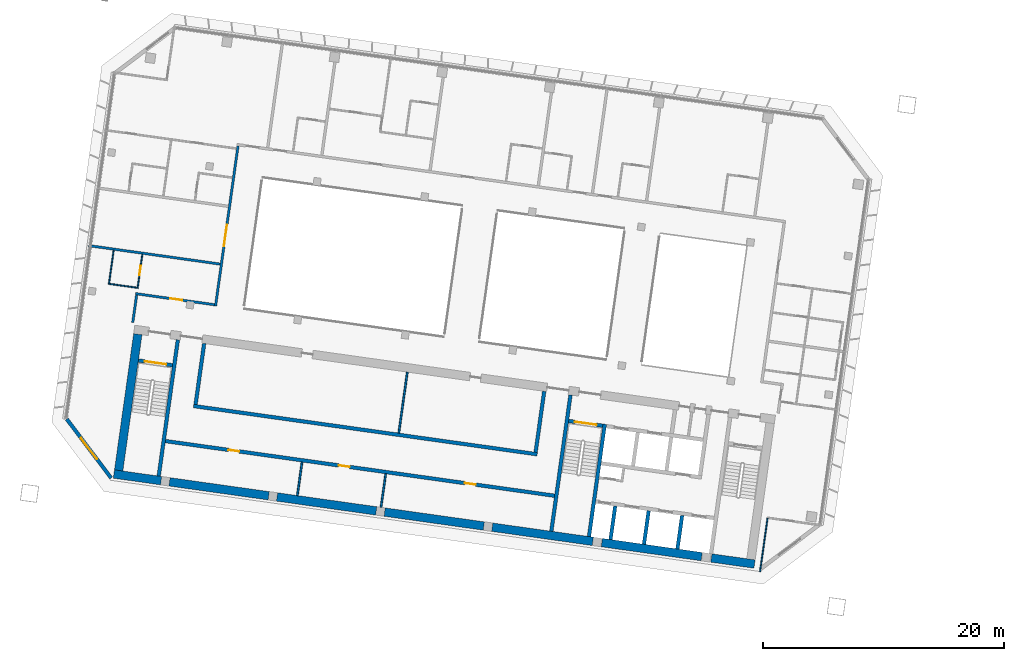
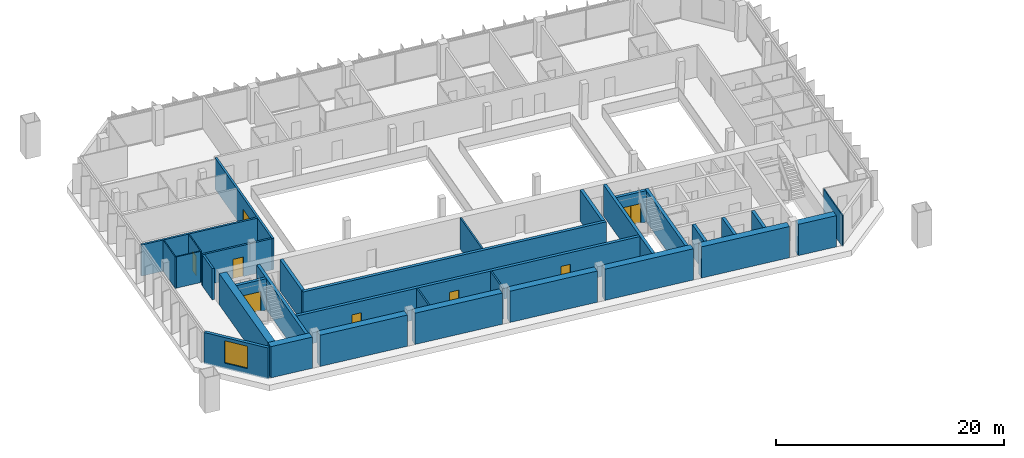
# One storey, part 15 of 26: 32 walls, 8 doors, 1 window, 9 openings.
"""IFC4 building model written with IfcOpenShell, lengths in metres."""

from ifc_helpers import new_model, si_unit, direction, frame, frame_2d, origin, place, context, subcontext, project, spatial, rectangle, extrude, material, layer, layer_set, type_object, element, fill, save


model = new_model("IFC4")

# Units and contexts
model_context = context("Model", 3, precision=1e-05, world=origin(), true_north=direction((0.0, 1.0)))
body_context = subcontext(model_context, "Body", "Model", "MODEL_VIEW")
ifc_project = project(units=[si_unit("LENGTHUNIT", "METRE"), si_unit("AREAUNIT", "SQUARE_METRE"), si_unit("VOLUMEUNIT", "CUBIC_METRE"), si_unit("PLANEANGLEUNIT", "RADIAN"), si_unit("MASSUNIT", "GRAM", prefix="KILO")], contexts=[model_context])

# Site, building, storey
site_placement = place(None, origin())
site = spatial("IfcSite", under=ifc_project, at=site_placement, CompositionType="ELEMENT")
building_placement = place(site_placement, origin())
building = spatial("IfcBuilding", under=site, at=building_placement, Name="Mirante Cascada Hotel Towers", CompositionType="ELEMENT")
storey_placement = place(building_placement, frame((0.0, 0.0, 168.8)))
storey = spatial("IfcBuildingStorey", under=building, at=storey_placement, Name="L39", CompositionType="ELEMENT", Elevation=168.8)

# Wall, opening, door
ifc_material_1 = material(Name="Fire-rated plasterboard on metal studs")
ifc_layer_1 = layer(ifc_material_1, 0.2)
ifc_layer_set_1 = layer_set([ifc_layer_1], Name="Compartment wall 200 EI 120")
wall_type_1 = type_object("IfcWallType", Name="Compartment wall 200 EI 120", PredefinedType="PARTITIONING", material=ifc_layer_set_1)
wall_1_placement = place(storey_placement, frame((-81.9671, 1.8701, 0.0), z_axis=(0.0, 0.0, 1.0), x_axis=(-0.990269, 0.1391661, 0.0)))
wall_1 = element("IfcWall", 1, at=wall_1_placement, inside=storey, type_object=wall_type_1, Name="Wall 1-L39-04", PredefinedType="PARTITIONING", context=body_context, shape_type="SweptSolid", body=[
    extrude(rectangle(XDim=6.6, YDim=0.2, at=frame_2d((3.3, 0.0))), origin(), (0.0, 0.0, 1.0), 3.35),
])
opening_1_placement = place(wall_1_placement, frame((2.7, 0.0, 0.0)))
opening_1 = element("IfcOpeningElement", 2, at=opening_1_placement, cuts=wall_1, Name="Opening D1-L39-04", PredefinedType="OPENING", context=body_context, shape_type="SweptSolid", body=[
    extrude(rectangle(XDim=1.0, YDim=2.1, at=frame_2d((0.5, 1.05))), frame((0.0, 0.1, 0.0), z_axis=(0.0, -1.0, 0.0), x_axis=(1.0, 0.0, 0.0)), (0.0, 0.0, 1.0), 0.2),
])
ifc_material_2 = material(Name="Fire-rated timber door leaf", Category="wood")
door_type_1 = type_object("IfcDoorType", Name="Entrance door DG1 1000x2100 EI 60", OperationType="SINGLE_SWING_LEFT", PredefinedType="DOOR", material=ifc_material_2)
door_1_placement = place(opening_1_placement, origin())
door_1 = element("IfcDoor", 3, at=door_1_placement, inside=storey, type_object=door_type_1, Name="Door D1-L39-04", OperationType="SINGLE_SWING_LEFT", OverallHeight=2.1, OverallWidth=1.0, PredefinedType="DOOR", context=body_context, shape_type="SweptSolid", body=[
    extrude(rectangle(XDim=1.0, YDim=2.1, at=frame_2d((0.5, 1.05))), frame((0.0, 0.025, 0.0), z_axis=(0.0, -1.0, 0.0), x_axis=(1.0, 0.0, 0.0)), (0.0, 0.0, 1.0), 0.05),
])
fill(opening_1, door_1)

# Wall
wall_2_placement = place(storey_placement, frame((-81.4939, 5.237, 0.0), z_axis=(0.0, 0.0, 1.0), x_axis=(-0.9902682, 0.1391721, 0.0)))
element("IfcWall", 4, at=wall_2_placement, inside=storey, type_object=wall_type_1, Name="Wall 1-L39-08", PredefinedType="PARTITIONING", context=body_context, shape_type="SweptSolid", body=[
    extrude(rectangle(XDim=11.0001, YDim=0.2, at=frame_2d((5.5, 0.0))), origin(), (0.0, 0.0, 1.0), 3.35),
])

# Wall, opening, door
wall_3_placement = place(storey_placement, frame((-81.882, 1.7571, 0.0), z_axis=(0.0, 0.0, 1.0), x_axis=(0.1391716, 0.9902683, 0.0)))
wall_3 = element("IfcWall", 5, at=wall_3_placement, inside=storey, type_object=wall_type_1, Name="Wall 1-L39-44", PredefinedType="PARTITIONING", context=body_context, shape_type="SweptSolid", body=[
    extrude(rectangle(XDim=13.4, YDim=0.2, at=frame_2d((6.7, 0.0))), origin(), (0.0, 0.0, 1.0), 3.35),
])
opening_2_placement = place(wall_3_placement, frame((5.0167, 0.0, 0.0)))
opening_2 = element("IfcOpeningElement", 6, at=opening_2_placement, cuts=wall_3, Name="Opening D1-L39-30", PredefinedType="OPENING", context=body_context, shape_type="SweptSolid", body=[
    extrude(rectangle(XDim=1.8, YDim=2.1, at=frame_2d((0.9, 1.05))), frame((0.0, 0.1, 0.0), z_axis=(0.0, -1.0, 0.0), x_axis=(1.0, 0.0, 0.0)), (0.0, 0.0, 1.0), 0.2),
])
ifc_material_3 = material(Name="Fire-rated timber door leaf", Category="wood")
door_type_2 = type_object("IfcDoorType", Name="Suite double door DG2 1800x2100 EI 60", OperationType="DOUBLE_DOOR_SINGLE_SWING", PredefinedType="DOOR", material=ifc_material_3)
door_2_placement = place(opening_2_placement, origin())
door_2 = element("IfcDoor", 7, at=door_2_placement, inside=storey, type_object=door_type_2, Name="Door D1-L39-30", OperationType="DOUBLE_DOOR_SINGLE_SWING", OverallHeight=2.1, OverallWidth=1.8, PredefinedType="DOOR", context=body_context, shape_type="SweptSolid", body=[
    extrude(rectangle(XDim=0.895, YDim=2.1, at=frame_2d((0.4475, 1.05))), frame((0.0, 0.025, 0.0), z_axis=(0.0, -1.0, 0.0), x_axis=(1.0, 0.0, 0.0)), (0.0, 0.0, 1.0), 0.05),
    extrude(rectangle(XDim=0.895, YDim=2.1, at=frame_2d((1.3525, 1.05))), frame((0.0, 0.025, 0.0), z_axis=(0.0, -1.0, 0.0), x_axis=(1.0, 0.0, 0.0)), (0.0, 0.0, 1.0), 0.05),
])
fill(opening_2, door_2)

# Walls
wall_4_placement = place(storey_placement, frame((-88.4178, 2.6757, 0.0), z_axis=(0.0, 0.0, 1.0), x_axis=(-0.1391749, -0.9902678, 0.0)))
element("IfcWall", 8, at=wall_4_placement, inside=storey, type_object=wall_type_1, Name="Wall 1-L39-47", PredefinedType="PARTITIONING", context=body_context, shape_type="SweptSolid", body=[
    extrude(rectangle(XDim=2.3, YDim=0.2, at=frame_2d((1.15, 0.0))), origin(), (0.0, 0.0, 1.0), 3.35),
])
ifc_material_4 = material(Name="Masonry block", Category="masonry")
ifc_layer_2 = layer(ifc_material_4, 0.15)
ifc_layer_set_2 = layer_set([ifc_layer_2], Name="Core room partition 150 block EI 30")
wall_type_2 = type_object("IfcWallType", Name="Core room partition 150 block EI 30", PredefinedType="PARTITIONING", material=ifc_layer_set_2)
for number, where, z_axis, x_axis, name in (
    (9, (-68.1687, -14.9136, 0.0), (0.0, 0.0, 1.0), (0.139181, 0.990267, 0.0), "Core wall partition T1 L39 6"),
    (10, (-75.1006, -13.9394, 0.0), (0.0, 0.0, 1.0), (0.139181, 0.990267, 0.0), "Core wall partition T1 L39 7"),
):
    element("IfcWall", number, at=place(storey_placement, frame(where, z_axis=z_axis, x_axis=x_axis)), inside=storey, type_object=wall_type_2, Name=name, PredefinedType="PARTITIONING", context=body_context, shape_type="SweptSolid", body=[
        extrude(rectangle(XDim=2.8, YDim=0.15, at=frame_2d((1.4, 0.0))), origin(), (0.0, 0.0, 1.0), 3.35),
    ])
wall_5_placement = place(storey_placement, frame((-66.6977, -8.7584, 0.0), z_axis=(0.0, 0.0, 1.0), x_axis=(0.1391782, 0.9902673, 0.0)))
element("IfcWall", 11, at=wall_5_placement, inside=storey, type_object=wall_type_2, Name="Core wall partition T1 L39 8", PredefinedType="PARTITIONING", context=body_context, shape_type="SweptSolid", body=[
    extrude(rectangle(XDim=5.0999, YDim=0.15, at=frame_2d((2.55, 0.0))), origin(), (0.0, 0.0, 1.0), 3.35),
])

# Wall, openings, doors
ifc_material_5 = material(Name="Masonry block", Category="masonry")
ifc_layer_3 = layer(ifc_material_5, 0.3)
ifc_layer_set_3 = layer_set([ifc_layer_3], Name="Core wall 300 block EI 120")
wall_type_3 = type_object("IfcWallType", Name="Core wall 300 block EI 120", PredefinedType="PARTITIONING", material=ifc_layer_set_3)
wall_6_placement = place(storey_placement, frame((-53.7953, -13.9547, 0.0), z_axis=(0.0, 0.0, 1.0), x_axis=(-0.990268, 0.1391733, 0.0)))
wall_6 = element("IfcWall", 12, at=wall_6_placement, inside=storey, type_object=wall_type_3, Name="Core wall partition T1 L39 5", PredefinedType="PARTITIONING", context=body_context, shape_type="SweptSolid", body=[
    extrude(rectangle(XDim=32.5501, YDim=0.3, at=frame_2d((16.275, 0.0))), origin(), (0.0, 0.0, 1.0), 3.35),
])
opening_3_placement = place(wall_6_placement, frame((6.6, 0.0, 0.0)))
opening_3 = element("IfcOpeningElement", 13, at=opening_3_placement, cuts=wall_6, Name="Opening D1-39-C20", PredefinedType="OPENING", context=body_context, shape_type="SweptSolid", body=[
    extrude(rectangle(XDim=0.9, YDim=2.1, at=frame_2d((0.45, 1.05))), frame((0.0, 0.15, 0.0), z_axis=(0.0, -1.0, 0.0), x_axis=(1.0, 0.0, 0.0)), (0.0, 0.0, 1.0), 0.3),
])
opening_4_placement = place(wall_6_placement, frame((17.15, 0.0, 0.0)))
opening_4 = element("IfcOpeningElement", 14, at=opening_4_placement, cuts=wall_6, Name="Opening D1-39-C21", PredefinedType="OPENING", context=body_context, shape_type="SweptSolid", body=[
    extrude(rectangle(XDim=0.9, YDim=2.1, at=frame_2d((0.45, 1.05))), frame((0.0, 0.15, 0.0), z_axis=(0.0, -1.0, 0.0), x_axis=(1.0, 0.0, 0.0)), (0.0, 0.0, 1.0), 0.3),
])
opening_5_placement = place(wall_6_placement, frame((26.375, 0.0, 0.0)))
opening_5 = element("IfcOpeningElement", 15, at=opening_5_placement, cuts=wall_6, Name="Opening D1-39-C22", PredefinedType="OPENING", context=body_context, shape_type="SweptSolid", body=[
    extrude(rectangle(XDim=0.9, YDim=2.1, at=frame_2d((0.45, 1.05))), frame((0.0, 0.15, 0.0), z_axis=(0.0, -1.0, 0.0), x_axis=(1.0, 0.0, 0.0)), (0.0, 0.0, 1.0), 0.3),
])
ifc_material_6 = material(Name="Hollow metal fire door leaf")
door_type_3 = type_object("IfcDoorType", Name="Fire door 900x2100 FD60", OperationType="NOTDEFINED", PredefinedType="DOOR", material=ifc_material_6)
door_3_placement = place(opening_3_placement, origin())
door_3 = element("IfcDoor", 16, at=door_3_placement, inside=storey, type_object=door_type_3, Name="Room door T1 L39 20", OperationType="SINGLE_SWING_RIGHT", OverallHeight=2.1, OverallWidth=0.9, PredefinedType="DOOR", context=body_context, shape_type="SweptSolid", body=[
    extrude(rectangle(XDim=0.9, YDim=2.1, at=frame_2d((0.45, 1.05))), frame((0.0, 0.025, 0.0), z_axis=(0.0, -1.0, 0.0), x_axis=(1.0, 0.0, 0.0)), (0.0, 0.0, 1.0), 0.05),
])
fill(opening_3, door_3)
door_4_placement = place(opening_4_placement, origin())
door_4 = element("IfcDoor", 17, at=door_4_placement, inside=storey, type_object=door_type_3, Name="Room door T1 L39 21", OperationType="SINGLE_SWING_LEFT", OverallHeight=2.1, OverallWidth=0.9, PredefinedType="DOOR", context=body_context, shape_type="SweptSolid", body=[
    extrude(rectangle(XDim=0.9, YDim=2.1, at=frame_2d((0.45, 1.05))), frame((0.0, 0.025, 0.0), z_axis=(0.0, -1.0, 0.0), x_axis=(1.0, 0.0, 0.0)), (0.0, 0.0, 1.0), 0.05),
])
fill(opening_4, door_4)
door_5_placement = place(opening_5_placement, origin())
door_5 = element("IfcDoor", 18, at=door_5_placement, inside=storey, type_object=door_type_3, Name="Room door T1 L39 22", OperationType="SINGLE_SWING_LEFT", OverallHeight=2.1, OverallWidth=0.9, PredefinedType="DOOR", context=body_context, shape_type="SweptSolid", body=[
    extrude(rectangle(XDim=0.9, YDim=2.1, at=frame_2d((0.45, 1.05))), frame((0.0, 0.025, 0.0), z_axis=(0.0, -1.0, 0.0), x_axis=(1.0, 0.0, 0.0)), (0.0, 0.0, 1.0), 0.05),
])
fill(opening_5, door_5)

# Walls
ifc_material_7 = material(Name="Plasterboard on metal studs")
ifc_layer_4 = layer(ifc_material_7, 0.1)
ifc_layer_set_4 = layer_set([ifc_layer_4], Name="Partition 100")
wall_type_4 = type_object("IfcWallType", Name="Partition 100", PredefinedType="PARTITIONING", material=ifc_layer_set_4)
wall_7_placement = place(storey_placement, frame((-90.6614, 3.5969, 0.0), z_axis=(0.0, 0.0, 1.0), x_axis=(0.9902678, -0.1391749, 0.0)))
element("IfcWall", 19, at=wall_7_placement, inside=storey, type_object=wall_type_4, Name="Wall 1-L39-05", PredefinedType="PARTITIONING", context=body_context, shape_type="SweptSolid", body=[
    extrude(rectangle(XDim=2.3, YDim=0.1, at=frame_2d((1.15, 0.0))), origin(), (0.0, 0.0, 1.0), 3.35),
])
wall_8_placement = place(storey_placement, frame((-36.1468, -15.8291, 0.0), z_axis=(0.0, 0.0, 1.0), x_axis=(-0.1391684, -0.9902687, 0.0)))
element("IfcWall", 20, at=wall_8_placement, inside=storey, type_object=wall_type_4, Name="Wall 1-L39-27", PredefinedType="PARTITIONING", context=body_context, shape_type="SweptSolid", body=[
    extrude(rectangle(XDim=4.45, YDim=0.1, at=frame_2d((2.225, 0.0))), origin(), (0.0, 0.0, 1.0), 3.35),
])

# Wall, opening, door
wall_9_placement = place(storey_placement, frame((-88.3412, 3.2203, 0.0), z_axis=(0.0, 0.0, 1.0), x_axis=(0.1391564, 0.9902704, 0.0)))
wall_9 = element("IfcWall", 21, at=wall_9_placement, inside=storey, type_object=wall_type_4, Name="Wall 1-L39-48", PredefinedType="PARTITIONING", context=body_context, shape_type="SweptSolid", body=[
    extrude(rectangle(XDim=2.85, YDim=0.1, at=frame_2d((1.425, 0.0))), origin(), (0.0, 0.0, 1.0), 3.35),
])
opening_6_placement = place(wall_9_placement, frame((1.1, 0.0, 0.0)))
opening_6 = element("IfcOpeningElement", 22, at=opening_6_placement, cuts=wall_9, Name="Opening D1-L39-32", PredefinedType="OPENING", context=body_context, shape_type="SweptSolid", body=[
    extrude(rectangle(XDim=0.8, YDim=2.1, at=frame_2d((0.4, 1.05))), frame((0.0, 0.05, 0.0), z_axis=(0.0, -1.0, 0.0), x_axis=(1.0, 0.0, 0.0)), (0.0, 0.0, 1.0), 0.1),
])
ifc_material_8 = material(Name="Timber door leaf", Category="wood")
door_type_4 = type_object("IfcDoorType", Name="Bathroom door DG4 800x2100", OperationType="SINGLE_SWING_LEFT", PredefinedType="DOOR", material=ifc_material_8)
door_6_placement = place(opening_6_placement, origin())
door_6 = element("IfcDoor", 23, at=door_6_placement, inside=storey, type_object=door_type_4, Name="Door D1-L39-32", OperationType="SINGLE_SWING_LEFT", OverallHeight=2.1, OverallWidth=0.8, PredefinedType="DOOR", context=body_context, shape_type="SweptSolid", body=[
    extrude(rectangle(XDim=0.8, YDim=2.1, at=frame_2d((0.4, 1.05))), frame((0.0, 0.025, 0.0), z_axis=(0.0, -1.0, 0.0), x_axis=(1.0, 0.0, 0.0)), (0.0, 0.0, 1.0), 0.05),
])
fill(opening_6, door_6)

# Wall
wall_10_placement = place(storey_placement, frame((-90.3212, 6.3766, 0.0), z_axis=(0.0, 0.0, 1.0), x_axis=(-0.1391957, -0.9902649, 0.0)))
element("IfcWall", 24, at=wall_10_placement, inside=storey, type_object=wall_type_4, Name="Wall 1-L39-51", PredefinedType="PARTITIONING", context=body_context, shape_type="SweptSolid", body=[
    extrude(rectangle(XDim=2.8499, YDim=0.1, at=frame_2d((1.425, 0.0))), origin(), (0.0, 0.0, 1.0), 3.35),
])

# Wall, opening, window
ifc_material_9 = material(Name="Precast concrete C40/50", Category="concrete")
ifc_layer_5 = layer(ifc_material_9, 0.3)
ifc_layer_set_5 = layer_set([ifc_layer_5], Name="Precast concrete C40/50 cladding wall 300")
wall_type_5 = type_object("IfcWallType", Name="Precast concrete C40/50 cladding wall 300", PredefinedType="STANDARD", material=ifc_layer_set_5)
wall_11_placement = place(storey_placement, frame((-90.5299, -12.4841, 0.0), z_axis=(0.0, 0.0, 1.0), x_axis=(-0.6018063, 0.7986421, 0.0)))
wall_11 = element("IfcWall", 25, at=wall_11_placement, inside=storey, type_object=wall_type_5, Name="Corner cladding wall T1 L39 rear outer", PredefinedType="STANDARD", context=body_context, shape_type="SweptSolid", body=[
    extrude(rectangle(XDim=6.1158, YDim=0.3, at=frame_2d((3.0579, 0.0))), origin(), (0.0, 0.0, 1.0), 3.35),
])
opening_7_placement = place(wall_11_placement, frame((1.9578, 0.0, 0.6)))
opening_7 = element("IfcOpeningElement", 26, at=opening_7_placement, cuts=wall_11, Name="Opening W1-39-01", PredefinedType="OPENING", context=body_context, shape_type="SweptSolid", body=[
    extrude(rectangle(XDim=2.2, YDim=2.4, at=frame_2d((1.1, 1.2))), frame((0.0, 0.15, 0.0), z_axis=(0.0, -1.0, 0.0), x_axis=(1.0, 0.0, 0.0)), (0.0, 0.0, 1.0), 0.3),
])
ifc_material_10 = material(Name="Aluminium frame with clear double glazing", Category="aluminium")
window_type = type_object("IfcWindowType", Name="Corner suite window 2200x2400", PartitioningType="DOUBLE_PANEL_VERTICAL", PredefinedType="WINDOW", material=ifc_material_10)
window_placement = place(opening_7_placement, origin())
window = element("IfcWindow", 27, at=window_placement, inside=storey, type_object=window_type, Name="Window W1-39-01", OverallHeight=2.4, OverallWidth=2.2, PartitioningType="SINGLE_PANEL", PredefinedType="WINDOW", context=body_context, shape_type="SweptSolid", body=[
    extrude(rectangle(XDim=2.2, YDim=2.4, at=frame_2d((1.1, 1.2))), frame((0.0, 0.03, 0.0), z_axis=(0.0, -1.0, 0.0), x_axis=(1.0, 0.0, 0.0)), (0.0, 0.0, 1.0), 0.06),
])
fill(opening_7, window)

# Walls
ifc_material_11 = material(Name="Concrete C50/60", Category="concrete")
ifc_layer_6 = layer(ifc_material_11, 0.3)
ifc_layer_set_6 = layer_set([ifc_layer_6], Name="RC core wall 300 C50/60")
wall_type_6 = type_object("IfcWallType", Name="RC core wall 300 C50/60", PredefinedType="SHEAR", material=ifc_layer_set_6)
wall_12_placement = place(storey_placement, frame((-50.938, -17.3352, 0.0), z_axis=(0.0, 0.0, 1.0), x_axis=(0.1391706, 0.9902684, 0.0)))
element("IfcWall", 28, at=wall_12_placement, inside=storey, type_object=wall_type_6, Name="Core wall T1:L39:6", PredefinedType="SHEAR", context=body_context, shape_type="SweptSolid", body=[
    extrude(rectangle(XDim=9.4, YDim=0.3, at=frame_2d((4.7, 0.0))), origin(), (0.0, 0.0, 1.0), 3.35),
])
wall_13_placement = place(storey_placement, frame((-54.0574, -16.8968, 0.0), z_axis=(0.0, 0.0, 1.0), x_axis=(0.1391761, 0.9902677, 0.0)))
element("IfcWall", 29, at=wall_13_placement, inside=storey, type_object=wall_type_6, Name="Core wall T1:L39:7", PredefinedType="SHEAR", context=body_context, shape_type="SweptSolid", body=[
    extrude(rectangle(XDim=11.3999, YDim=0.3, at=frame_2d((5.7, 0.0))), origin(), (0.0, 0.0, 1.0), 3.35),
])
wall_14_placement = place(storey_placement, frame((-86.5877, -12.325, 0.0), z_axis=(0.0, 0.0, 1.0), x_axis=(0.1391749, 0.9902678, 0.0)))
element("IfcWall", 30, at=wall_14_placement, inside=storey, type_object=wall_type_6, Name="Core wall T1:L39:8", PredefinedType="SHEAR", context=body_context, shape_type="SweptSolid", body=[
    extrude(rectangle(XDim=11.4, YDim=0.3, at=frame_2d((5.7, 0.0))), origin(), (0.0, 0.0, 1.0), 3.35),
])

# Wall, opening, door
wall_15_placement = place(storey_placement, frame((-49.7992, -8.1544, 0.0), z_axis=(0.0, 0.0, 1.0), x_axis=(-0.9902656, 0.1391909, 0.0)))
wall_15 = element("IfcWall", 31, at=wall_15_placement, inside=storey, type_object=wall_type_6, Name="Core wall T1:L39:10", PredefinedType="SHEAR", context=body_context, shape_type="SweptSolid", body=[
    extrude(rectangle(XDim=2.85, YDim=0.3, at=frame_2d((1.425, 0.0))), origin(), (0.0, 0.0, 1.0), 3.35),
])
opening_8_placement = place(wall_15_placement, frame((0.525, 0.0, 0.0)))
opening_8 = element("IfcOpeningElement", 32, at=opening_8_placement, cuts=wall_15, Name="Opening D1-39-C09", PredefinedType="OPENING", context=body_context, shape_type="SweptSolid", body=[
    extrude(rectangle(XDim=1.8, YDim=2.1, at=frame_2d((0.9, 1.05))), frame((0.0, 0.15, 0.0), z_axis=(0.0, -1.0, 0.0), x_axis=(1.0, 0.0, 0.0)), (0.0, 0.0, 1.0), 0.3),
])
ifc_material_12 = material(Name="Hollow metal fire door leaf")
door_type_5 = type_object("IfcDoorType", Name="Double fire door 1800x2100 FD60", OperationType="DOUBLE_DOOR_SINGLE_SWING", PredefinedType="DOOR", material=ifc_material_12)
door_7_placement = place(opening_8_placement, origin())
door_7 = element("IfcDoor", 33, at=door_7_placement, inside=storey, type_object=door_type_5, Name="Stair door T1 L39 9", OperationType="DOUBLE_DOOR_SINGLE_SWING", OverallHeight=2.1, OverallWidth=1.8, PredefinedType="DOOR", context=body_context, shape_type="SweptSolid", body=[
    extrude(rectangle(XDim=0.895, YDim=2.1, at=frame_2d((0.4475, 1.05))), frame((0.0, 0.025, 0.0), z_axis=(0.0, -1.0, 0.0), x_axis=(1.0, 0.0, 0.0)), (0.0, 0.0, 1.0), 0.05),
    extrude(rectangle(XDim=0.895, YDim=2.1, at=frame_2d((1.3525, 1.05))), frame((0.0, 0.025, 0.0), z_axis=(0.0, -1.0, 0.0), x_axis=(1.0, 0.0, 0.0)), (0.0, 0.0, 1.0), 0.05),
])
fill(opening_8, door_7)

wall_16_placement = place(storey_placement, frame((-85.4489, -3.1441, 0.0), z_axis=(0.0, 0.0, 1.0), x_axis=(-0.9902697, 0.1391613, 0.0)))
wall_16 = element("IfcWall", 34, at=wall_16_placement, inside=storey, type_object=wall_type_6, Name="Core wall T1:L39:11", PredefinedType="SHEAR", context=body_context, shape_type="SweptSolid", body=[
    extrude(rectangle(XDim=2.8499, YDim=0.3, at=frame_2d((1.425, 0.0))), origin(), (0.0, 0.0, 1.0), 3.35),
])
opening_9_placement = place(wall_16_placement, frame((0.525, 0.0, 0.0)))
opening_9 = element("IfcOpeningElement", 35, at=opening_9_placement, cuts=wall_16, Name="Opening D1-39-C11", PredefinedType="OPENING", context=body_context, shape_type="SweptSolid", body=[
    extrude(rectangle(XDim=1.8, YDim=2.1, at=frame_2d((0.9, 1.05))), frame((0.0, 0.15, 0.0), z_axis=(0.0, -1.0, 0.0), x_axis=(1.0, 0.0, 0.0)), (0.0, 0.0, 1.0), 0.3),
])
door_8_placement = place(opening_9_placement, origin())
door_8 = element("IfcDoor", 36, at=door_8_placement, inside=storey, type_object=door_type_5, Name="Stair door T1 L39 11", OperationType="DOUBLE_DOOR_SINGLE_SWING", OverallHeight=2.1, OverallWidth=1.8, PredefinedType="DOOR", context=body_context, shape_type="SweptSolid", body=[
    extrude(rectangle(XDim=0.895, YDim=2.1, at=frame_2d((0.4475, 1.05))), frame((0.0, 0.025, 0.0), z_axis=(0.0, -1.0, 0.0), x_axis=(1.0, 0.0, 0.0)), (0.0, 0.0, 1.0), 0.05),
    extrude(rectangle(XDim=0.895, YDim=2.1, at=frame_2d((1.3525, 1.05))), frame((0.0, 0.025, 0.0), z_axis=(0.0, -1.0, 0.0), x_axis=(1.0, 0.0, 0.0)), (0.0, 0.0, 1.0), 0.05),
])
fill(opening_9, door_8)

# Walls
wall_17_placement = place(storey_placement, frame((-43.61, -18.3651, 0.0), z_axis=(0.0, 0.0, 1.0), x_axis=(0.1391459, 0.9902719, 0.0)))
element("IfcWall", 37, at=wall_17_placement, inside=storey, type_object=wall_type_6, Name="Core wall T1:L39:15", PredefinedType="SHEAR", context=body_context, shape_type="SweptSolid", body=[
    extrude(rectangle(XDim=2.7999, YDim=0.3, at=frame_2d((1.4, 0.0))), origin(), (0.0, 0.0, 1.0), 3.35),
])
wall_18_placement = place(storey_placement, frame((-46.3828, -17.9754, 0.0), z_axis=(0.0, 0.0, 1.0), x_axis=(0.139181, 0.990267, 0.0)))
element("IfcWall", 38, at=wall_18_placement, inside=storey, type_object=wall_type_6, Name="Core wall T1:L39:16", PredefinedType="SHEAR", context=body_context, shape_type="SweptSolid", body=[
    extrude(rectangle(XDim=2.8, YDim=0.3, at=frame_2d((1.4, 0.0))), origin(), (0.0, 0.0, 1.0), 3.35),
])
wall_19_placement = place(storey_placement, frame((-49.1555, -17.5857, 0.0), z_axis=(0.0, 0.0, 1.0), x_axis=(0.1391459, 0.9902719, 0.0)))
element("IfcWall", 39, at=wall_19_placement, inside=storey, type_object=wall_type_6, Name="Core wall T1:L39:17", PredefinedType="SHEAR", context=body_context, shape_type="SweptSolid", body=[
    extrude(rectangle(XDim=2.7999, YDim=0.3, at=frame_2d((1.4, 0.0))), origin(), (0.0, 0.0, 1.0), 3.35),
])
wall_20_placement = place(storey_placement, frame((-55.2315, -10.5214, 0.0), z_axis=(0.0, 0.0, 1.0), x_axis=(-0.9902682, 0.1391722, 0.0)))
element("IfcWall", 40, at=wall_20_placement, inside=storey, type_object=wall_type_6, Name="Core wall T1:L39:28", PredefinedType="SHEAR", context=body_context, shape_type="SweptSolid", body=[
    extrude(rectangle(XDim=28.75, YDim=0.3, at=frame_2d((14.375, 0.0))), origin(), (0.0, 0.0, 1.0), 3.35),
])
for number, where, z_axis, x_axis, name in (
    (41, (-55.3592, -10.352, 0.0), (0.0, 0.0, 1.0), (0.1391755, 0.9902677, 0.0), "Core wall T1:L39:29"),
    (42, (-83.5323, -6.3925, 0.0), (0.0, 0.0, 1.0), (0.1391755, 0.9902677, 0.0), "Core wall T1:L39:30"),
):
    element("IfcWall", number, at=place(storey_placement, frame(where, z_axis=z_axis, x_axis=x_axis)), inside=storey, type_object=wall_type_6, Name=name, PredefinedType="SHEAR", context=body_context, shape_type="SweptSolid", body=[
        extrude(rectangle(XDim=5.1, YDim=0.3, at=frame_2d((2.55, 0.0))), origin(), (0.0, 0.0, 1.0), 3.35),
    ])
ifc_material_13 = material(Name="Concrete C50/60", Category="concrete")
ifc_layer_7 = layer(ifc_material_13, 0.7)
ifc_layer_set_7 = layer_set([ifc_layer_7], Name="RC core wall 700 C50/60")
wall_type_7 = type_object("IfcWallType", Name="RC core wall 700 C50/60", PredefinedType="SHEAR", material=ifc_layer_set_7)
wall_21_placement = place(storey_placement, frame((-37.222, -19.6163, 0.0), z_axis=(0.0, 0.0, 1.0), x_axis=(-0.9902686, 0.1391691, 0.0)))
element("IfcWall", 43, at=wall_21_placement, inside=storey, type_object=wall_type_7, Name="Core wall T1:L39:1.1", PredefinedType="SHEAR", context=body_context, shape_type="SweptSolid", body=[
    extrude(rectangle(XDim=3.6122, YDim=0.7, at=frame_2d((1.8061, 0.0))), origin(), (0.0, 0.0, 1.0), 3.35),
])
wall_22_placement = place(storey_placement, frame((-41.6038, -19.0005, 0.0), z_axis=(0.0, 0.0, 1.0), x_axis=(-0.9902691, 0.1391659, 0.0)))
element("IfcWall", 44, at=wall_22_placement, inside=storey, type_object=wall_type_7, Name="Core wall T1:L39:1.2", PredefinedType="SHEAR", context=body_context, shape_type="SweptSolid", body=[
    extrude(rectangle(XDim=8.3562, YDim=0.7, at=frame_2d((4.1781, 0.0))), origin(), (0.0, 0.0, 1.0), 3.35),
])
wall_23_placement = place(storey_placement, frame((-50.6277, -17.7323, 0.0), z_axis=(0.0, 0.0, 1.0), x_axis=(-0.9902681, 0.1391727, 0.0)))
element("IfcWall", 45, at=wall_23_placement, inside=storey, type_object=wall_type_7, Name="Core wall T1:L39:1.3", PredefinedType="SHEAR", context=body_context, shape_type="SweptSolid", body=[
    extrude(rectangle(XDim=8.4126, YDim=0.7, at=frame_2d((4.2063, 0.0))), origin(), (0.0, 0.0, 1.0), 3.35),
])
for number, where, z_axis, x_axis, name in (
    (46, (-59.6516, -16.4641, 0.0), (0.0, 0.0, 1.0), (-0.990267, 0.139181, 0.0), "Core wall T1:L39:1.4"),
    (47, (-68.564, -15.2115, 0.0), (0.0, 0.0, 1.0), (-0.9902686, 0.1391692, 0.0), "Core wall T1:L39:1.5"),
    (48, (-77.4764, -13.9589, 0.0), (0.0, 0.0, 1.0), (-0.9902686, 0.1391692, 0.0), "Core wall T1:L39:1.6"),
):
    element("IfcWall", number, at=place(storey_placement, frame(where, z_axis=z_axis, x_axis=x_axis)), inside=storey, type_object=wall_type_7, Name=name, PredefinedType="SHEAR", context=body_context, shape_type="SweptSolid", body=[
        extrude(rectangle(XDim=8.3, YDim=0.7, at=frame_2d((4.15, 0.0))), origin(), (0.0, 0.0, 1.0), 3.35),
    ])
wall_24_placement = place(storey_placement, frame((-86.3888, -12.7064, 0.0), z_axis=(0.0, 0.0, 1.0), x_axis=(-0.9902694, 0.1391633, 0.0)))
element("IfcWall", 49, at=wall_24_placement, inside=storey, type_object=wall_type_7, Name="Core wall T1:L39:1.7", PredefinedType="SHEAR", context=body_context, shape_type="SweptSolid", body=[
    extrude(rectangle(XDim=3.95, YDim=0.7, at=frame_2d((1.975, 0.0))), origin(), (0.0, 0.0, 1.0), 3.35),
])
wall_25_placement = place(storey_placement, frame((-89.9051, -11.8588, 0.0), z_axis=(0.0, 0.0, 1.0), x_axis=(0.1391749, 0.9902678, 0.0)))
element("IfcWall", 50, at=wall_25_placement, inside=storey, type_object=wall_type_7, Name="Core wall T1:L39:4", PredefinedType="SHEAR", context=body_context, shape_type="SweptSolid", body=[
    extrude(rectangle(XDim=11.4, YDim=0.7, at=frame_2d((5.7, 0.0))), origin(), (0.0, 0.0, 1.0), 3.35),
])

save(model, "model.ifc")
